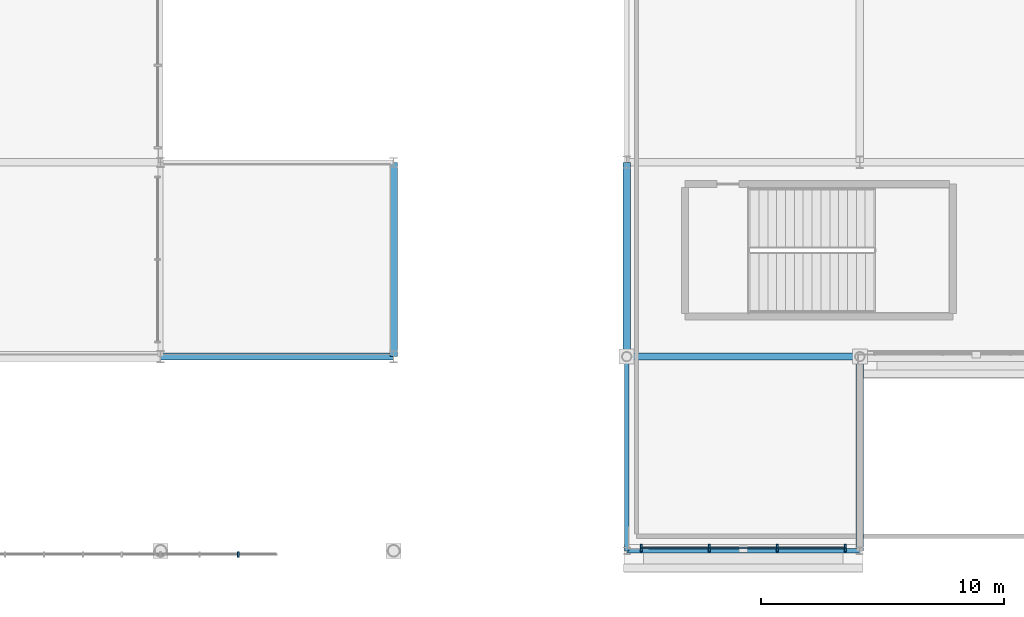
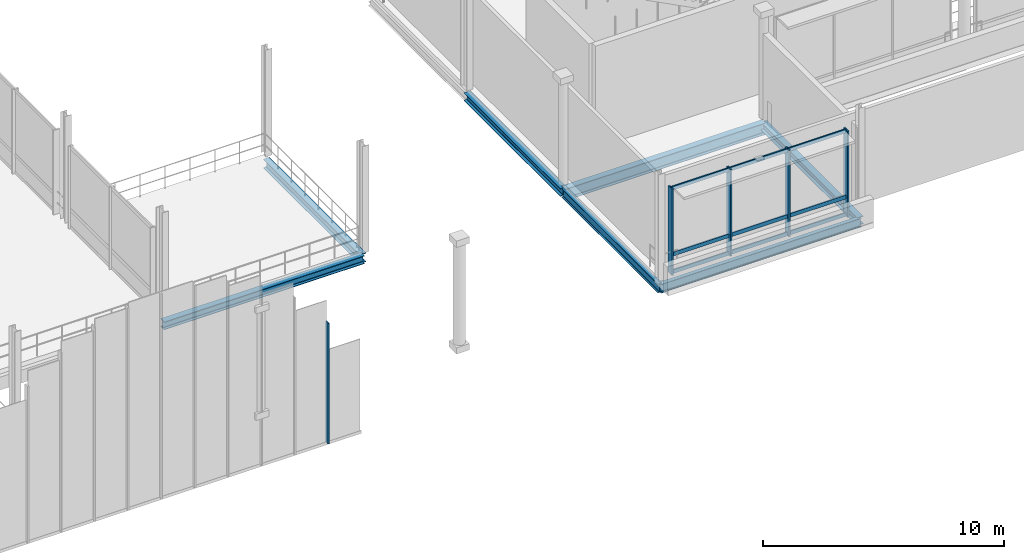
# One storey, part 53 of 129: 8 members, 7 beams, 2 elements without a shape of their own.
"""IFC4 building model written with IfcOpenShell, lengths in metres."""

from ifc_helpers import new_model, si_unit, direction, frame, origin, origin_2d, place, context, subcontext, project, spatial, rectangle, i_section, extrude, material, material_profile, profile_set, type_object, element, aggregate, save


model = new_model("IFC4")

# Units and contexts
model_context = context("Model", 3, precision=1e-05, world=origin(), true_north=direction((0.0, 1.0)))
body_context = subcontext(model_context, "Body", "Model", "MODEL_VIEW")
ifc_project = project(units=[si_unit("LENGTHUNIT", "METRE"), si_unit("AREAUNIT", "SQUARE_METRE"), si_unit("VOLUMEUNIT", "CUBIC_METRE"), si_unit("PLANEANGLEUNIT", "RADIAN"), si_unit("MASSUNIT", "GRAM", prefix="KILO")], contexts=[model_context])

# Site, building, storey
site_placement = place(None, origin())
site = spatial("IfcSite", under=ifc_project, at=site_placement, CompositionType="ELEMENT")
building_placement = place(site_placement, origin())
building = spatial("IfcBuilding", under=site, at=building_placement, Name="Danafjord Basin Convention Centre", CompositionType="ELEMENT")
storey_placement = place(building_placement, frame((0.0, 0.0, 6.0)))
storey = spatial("IfcBuildingStorey", under=building, at=storey_placement, Name="L01", CompositionType="ELEMENT", Elevation=6.0)

# Beams
ifc_material_1 = material(Name="Steel S355", Category="steel")
ifc_material_profile_1 = material_profile(ifc_material_1, i_section(OverallWidth=0.300048828125, OverallDepth=0.590087890625, WebThickness=0.012939453125, FlangeThickness=0.02490234375, FilletRadius=0.027099609375, at=origin_2d()), Name="HEA 600")
ifc_profile_set_1 = profile_set([ifc_material_profile_1], Name="Steel S355")
beam_type_1 = type_object("IfcBeamType", Name="BEAM-BM-HEA600", PredefinedType="BEAM", material=ifc_profile_set_1)
beam_1_placement = place(storey_placement, frame((144.0, 8.0, -0.52490234375), z_axis=(1.0, 0.0, 0.0), x_axis=(0.0, 1.0, 0.0)))
element("IfcBeam", 1, at=beam_1_placement, inside=storey, type_object=beam_type_1, Name="L01 girder BM-HEA600", PredefinedType="BEAM", context=body_context, shape_type="SweptSolid", body=[
    extrude(i_section(OverallWidth=0.300048828125, OverallDepth=0.590087890625, WebThickness=0.012939453125, FlangeThickness=0.02490234375, FilletRadius=0.027099609375, at=origin_2d()), origin(), (0.0, 0.0, 1.0), 9.60009765625),
])
ifc_material_profile_2 = material_profile(ifc_material_1, i_section(OverallWidth=0.300048828125, OverallDepth=0.39990234375, WebThickness=0.013427734375, FlangeThickness=0.02392578125, FilletRadius=0.027099609375, at=origin_2d()), Name="HEB 400")
ifc_profile_set_2 = profile_set([ifc_material_profile_2], Name="Steel S355")
beam_type_2 = type_object("IfcBeamType", Name="BEAM-SP-HEB400", PredefinedType="SPANDREL", material=ifc_profile_set_2)
beam_2_placement = place(storey_placement, frame((124.800048828125, 8.0, -0.429931640625), z_axis=(1.0, 0.0, 0.0), x_axis=(0.0, 1.0, 0.0)))
element("IfcBeam", 2, at=beam_2_placement, inside=storey, type_object=beam_type_2, Name="L01 girder SP-HEB400", PredefinedType="SPANDREL", context=body_context, shape_type="SweptSolid", body=[
    extrude(i_section(OverallWidth=0.300048828125, OverallDepth=0.39990234375, WebThickness=0.013427734375, FlangeThickness=0.02392578125, FilletRadius=0.027099609375, at=origin_2d()), origin(), (0.0, 0.0, 1.0), 9.599853515625),
])
for number, where, z_axis, x_axis, name in (
    (3, (144.0, 8.0, -0.429931640625), (0.0, 1.0, 0.0), (-1.0, 0.0, 0.0), "L01 transverse girder SP-HEB400"),
    (4, (153.60009765625, 0.0, -0.429931640625), (0.0, 1.0, 0.0), (-1.0, 0.0, 0.0), "L01 transverse girder SP-HEB400"),
):
    element("IfcBeam", number, at=place(storey_placement, frame(where, z_axis=z_axis, x_axis=x_axis)), inside=storey, type_object=beam_type_2, Name=name, PredefinedType="SPANDREL", context=body_context, shape_type="SweptSolid", body=[
        extrude(i_section(OverallWidth=0.300048828125, OverallDepth=0.39990234375, WebThickness=0.013427734375, FlangeThickness=0.02392578125, FilletRadius=0.027099609375, at=origin_2d()), origin(), (0.0, 0.0, 1.0), 8.0),
    ])
ifc_material_profile_3 = material_profile(ifc_material_1, i_section(OverallWidth=0.300048828125, OverallDepth=0.449951171875, WebThickness=0.013916015625, FlangeThickness=0.02587890625, FilletRadius=0.027099609375, at=origin_2d()), Name="HEB 450")
ifc_profile_set_3 = profile_set([ifc_material_profile_3], Name="Steel S355")
beam_type_3 = type_object("IfcBeamType", Name="BEAM-SP-HEB450", PredefinedType="SPANDREL", material=ifc_profile_set_3)
beam_3_placement = place(storey_placement, frame((134.39990234375, 8.0, -0.455078125), z_axis=(0.0, 1.0, 0.0), x_axis=(-1.0, 0.0, 0.0)))
element("IfcBeam", 5, at=beam_3_placement, inside=storey, type_object=beam_type_3, Name="L01 transverse girder SP-HEB450", PredefinedType="SPANDREL", context=body_context, shape_type="SweptSolid", body=[
    extrude(i_section(OverallWidth=0.300048828125, OverallDepth=0.449951171875, WebThickness=0.013916015625, FlangeThickness=0.02587890625, FilletRadius=0.027099609375, at=origin_2d()), origin(), (0.0, 0.0, 1.0), 8.0),
])
ifc_material_profile_4 = material_profile(ifc_material_1, i_section(OverallWidth=0.18994140625, OverallDepth=0.449951171875, WebThickness=0.009521484375, FlangeThickness=0.0146484375, FilletRadius=0.02099609375, at=origin_2d()), Name="IPE 450")
ifc_profile_set_4 = profile_set([ifc_material_profile_4], Name="Steel S355")
beam_type_4 = type_object("IfcBeamType", Name="BEAM-SP-IPE450", PredefinedType="SPANDREL", material=ifc_profile_set_4)
beam_4_placement = place(storey_placement, frame((144.0, 0.0, -0.455078125), z_axis=(1.0, 0.0, 0.0), x_axis=(0.0, 1.0, 0.0)))
element("IfcBeam", 6, at=beam_4_placement, inside=storey, type_object=beam_type_4, Name="L01 girder SP-IPE450", PredefinedType="SPANDREL", context=body_context, shape_type="SweptSolid", body=[
    extrude(i_section(OverallWidth=0.18994140625, OverallDepth=0.449951171875, WebThickness=0.009521484375, FlangeThickness=0.0146484375, FilletRadius=0.02099609375, at=origin_2d()), origin(), (0.0, 0.0, 1.0), 9.60009765625),
])
beam_5_placement = place(storey_placement, frame((144.0, 0.0, -0.455078125), z_axis=(0.0, 1.0, 0.0), x_axis=(-1.0, 0.0, 0.0)))
element("IfcBeam", 7, at=beam_5_placement, inside=storey, type_object=beam_type_4, Name="L01 transverse girder SP-IPE450", PredefinedType="SPANDREL", context=body_context, shape_type="SweptSolid", body=[
    extrude(i_section(OverallWidth=0.18994140625, OverallDepth=0.449951171875, WebThickness=0.009521484375, FlangeThickness=0.0146484375, FilletRadius=0.02099609375, at=origin_2d()), origin(), (0.0, 0.0, 1.0), 8.0),
])

# Curtain wall, member
ifc_material_2 = material(Name="Anodised aluminium and triple glazing", Category="aluminium")
curtain_wall_type = type_object("IfcCurtainWallType", Name="CW-CW-HARB", PredefinedType="NOTDEFINED", material=ifc_material_2)
curtain_wall_1_placement = place(storey_placement, origin())
curtain_wall_1 = element("IfcCurtainWall", 8, at=curtain_wall_1_placement, inside=storey, type_object=curtain_wall_type, Name="Main entrance tall semicircular glazed arch curtain wall", PredefinedType="NOTDEFINED")
ifc_material_3 = material(Name="Anodised aluminium EN AW-6060", Category="aluminium")
ifc_material_profile_5 = material_profile(ifc_material_3, rectangle(XDim=0.06494140625, YDim=0.219970703125, at=origin_2d()), Name="MULL 65x220")
ifc_profile_set_5 = profile_set([ifc_material_profile_5], Name="Anodised aluminium EN AW-6060")
member_type_1 = type_object("IfcMemberType", Name="MEM-ML-220", PredefinedType="MULLION", material=ifc_profile_set_5)
member_1_placement = place(storey_placement, frame((128.0, -0.14990234375, -2.60009765625), z_axis=(0.0, 0.0, 1.0), x_axis=(1.0, 0.0, 0.0)))
member_1 = element("IfcMember", 9, at=member_1_placement, type_object=member_type_1, Name="Main entrance glazed arch mullion 11", PredefinedType="MULLION", context=body_context, shape_type="SweptSolid", body=[
    extrude(rectangle(XDim=0.06494140625, YDim=0.219970703125, at=origin_2d()), origin(), (0.0, 0.0, 1.0), 6.106689453125),
])
aggregate(curtain_wall_1, [member_1])

# Curtain wall, members
curtain_wall_2_placement = place(storey_placement, origin())
curtain_wall_2 = element("IfcCurtainWall", 10, at=curtain_wall_2_placement, inside=storey, type_object=curtain_wall_type, Name="L01 CW-HARB unitised curtain wall bay 134", PredefinedType="NOTDEFINED")
ifc_material_profile_6 = material_profile(ifc_material_3, rectangle(XDim=0.080078125, YDim=0.300048828125, at=origin_2d()), Name="MULL 80x300")
ifc_profile_set_6 = profile_set([ifc_material_profile_6], Name="Anodised aluminium EN AW-6060")
member_type_2 = type_object("IfcMemberType", Name="MEM-ML-300", PredefinedType="MULLION", material=ifc_profile_set_6)
member_2_placement = place(storey_placement, frame((144.60009765625, 0.1201171875, -0.02490234375), z_axis=(0.0, 0.0, 1.0), x_axis=(1.0, 0.0, 0.0)))
member_2 = element("IfcMember", 11, at=member_2_placement, type_object=member_type_2, Name="CW-L01-134 mullion 1", PredefinedType="MULLION", context=body_context, shape_type="SweptSolid", body=[
    extrude(rectangle(XDim=0.080078125, YDim=0.300048828125, at=origin_2d()), origin(), (0.0, 0.0, 1.0), 4.385009765625),
])
member_3_placement = place(storey_placement, frame((147.39990234375, 0.1201171875, -0.02490234375), z_axis=(0.0, 0.0, 1.0), x_axis=(1.0, 0.0, 0.0)))
member_3 = element("IfcMember", 12, at=member_3_placement, type_object=member_type_2, Name="CW-L01-134 mullion 2", PredefinedType="MULLION", context=body_context, shape_type="SweptSolid", body=[
    extrude(rectangle(XDim=0.080078125, YDim=0.300048828125, at=origin_2d()), origin(), (0.0, 0.0, 1.0), 4.385009765625),
])
member_4_placement = place(storey_placement, frame((150.199951171875, 0.1201171875, -0.02490234375), z_axis=(0.0, 0.0, 1.0), x_axis=(1.0, 0.0, 0.0)))
member_4 = element("IfcMember", 13, at=member_4_placement, type_object=member_type_2, Name="CW-L01-134 mullion 3", PredefinedType="MULLION", context=body_context, shape_type="SweptSolid", body=[
    extrude(rectangle(XDim=0.080078125, YDim=0.300048828125, at=origin_2d()), origin(), (0.0, 0.0, 1.0), 4.385009765625),
])
member_5_placement = place(storey_placement, frame((153.0, 0.1201171875, -0.02490234375), z_axis=(0.0, 0.0, 1.0), x_axis=(1.0, 0.0, 0.0)))
member_5 = element("IfcMember", 14, at=member_5_placement, type_object=member_type_2, Name="CW-L01-134 mullion 4", PredefinedType="MULLION", context=body_context, shape_type="SweptSolid", body=[
    extrude(rectangle(XDim=0.080078125, YDim=0.300048828125, at=origin_2d()), origin(), (0.0, 0.0, 1.0), 4.385009765625),
])
ifc_material_profile_7 = material_profile(ifc_material_3, rectangle(XDim=0.06494140625, YDim=0.18994140625, at=origin_2d()), Name="TRAN 65x190")
ifc_profile_set_7 = profile_set([ifc_material_profile_7], Name="Anodised aluminium EN AW-6060")
member_type_3 = type_object("IfcMemberType", Name="MEM-TR-190", PredefinedType="USERDEFINED", material=ifc_profile_set_7)
member_6_placement = place(storey_placement, frame((144.60009765625, 0.1201171875, 0.06005859375), z_axis=(1.0, 0.0, 0.0), x_axis=(0.0, 1.0, 0.0)))
member_6 = element("IfcMember", 15, at=member_6_placement, type_object=member_type_3, Name="CW-L01-134 transom 1", ObjectType="TRANSOM", PredefinedType="USERDEFINED", context=body_context, shape_type="SweptSolid", body=[
    extrude(rectangle(XDim=0.06494140625, YDim=0.18994140625, at=origin_2d()), origin(), (0.0, 0.0, 1.0), 8.39990234375),
])
member_7_placement = place(storey_placement, frame((144.60009765625, 0.1201171875, 0.949951171875), z_axis=(1.0, 0.0, 0.0), x_axis=(0.0, 1.0, 0.0)))
member_7 = element("IfcMember", 16, at=member_7_placement, type_object=member_type_3, Name="CW-L01-134 transom 2", ObjectType="TRANSOM", PredefinedType="USERDEFINED", context=body_context, shape_type="SweptSolid", body=[
    extrude(rectangle(XDim=0.06494140625, YDim=0.18994140625, at=origin_2d()), origin(), (0.0, 0.0, 1.0), 8.39990234375),
])
member_8_placement = place(storey_placement, frame((144.60009765625, 0.1201171875, 4.2900390625), z_axis=(1.0, 0.0, 0.0), x_axis=(0.0, 1.0, 0.0)))
member_8 = element("IfcMember", 17, at=member_8_placement, type_object=member_type_3, Name="CW-L01-134 transom 3", ObjectType="TRANSOM", PredefinedType="USERDEFINED", context=body_context, shape_type="SweptSolid", body=[
    extrude(rectangle(XDim=0.06494140625, YDim=0.18994140625, at=origin_2d()), origin(), (0.0, 0.0, 1.0), 8.39990234375),
])
aggregate(curtain_wall_2, [member_2, member_3, member_4, member_5, member_6, member_7, member_8])

save(model, "model.ifc")
